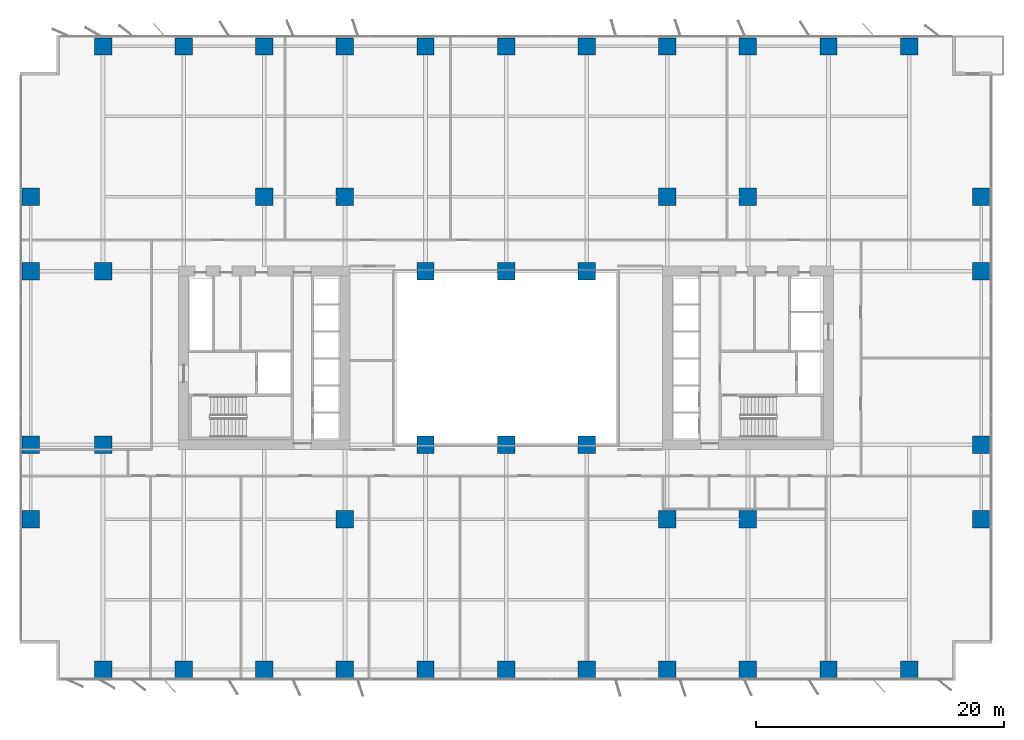
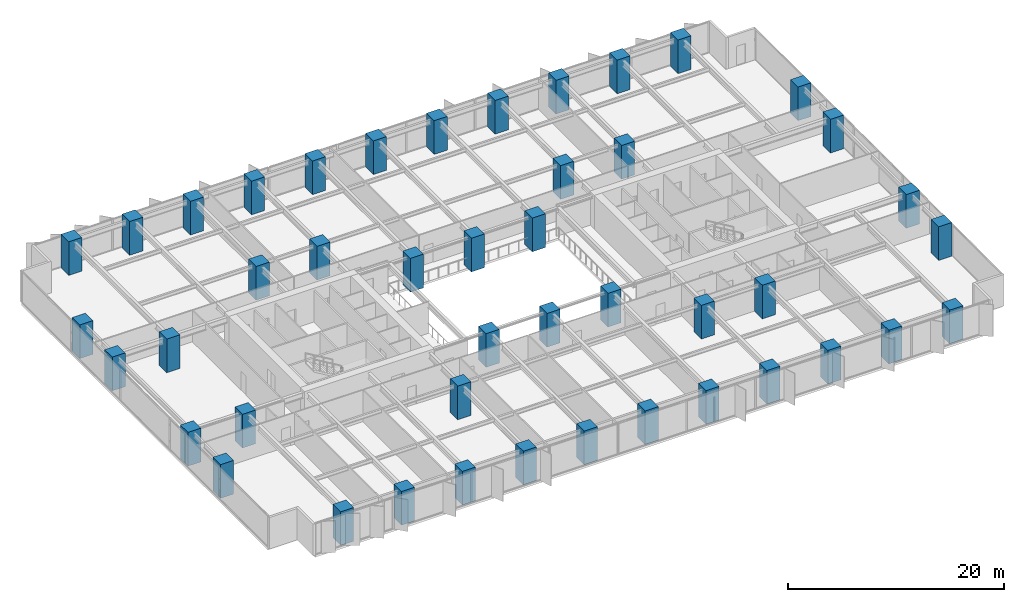
# One storey, part 1 of 20: 45 columns.
"""IFC4 building model written with IfcOpenShell, lengths in metres."""

from ifc_helpers import new_model, si_unit, direction, frame, origin, origin_2d, place, context, subcontext, project, spatial, rectangle, extrude, material, material_profile, profile_set, type_object, element, save


model = new_model("IFC4")

# Units and contexts
model_context = context("Model", 3, precision=1e-05, world=origin(), true_north=direction((0.0, 1.0)))
body_context = subcontext(model_context, "Body", "Model", "MODEL_VIEW")
ifc_project = project(units=[si_unit("LENGTHUNIT", "METRE"), si_unit("AREAUNIT", "SQUARE_METRE"), si_unit("VOLUMEUNIT", "CUBIC_METRE"), si_unit("PLANEANGLEUNIT", "RADIAN"), si_unit("MASSUNIT", "GRAM", prefix="KILO")], contexts=[model_context])

# Site, building, storey
site_placement = place(None, origin())
site = spatial("IfcSite", under=ifc_project, at=site_placement, CompositionType="ELEMENT")
building_placement = place(site_placement, origin())
building = spatial("IfcBuilding", under=site, at=building_placement, Name="Putna Gate Headquarters", CompositionType="ELEMENT")
storey_placement = place(building_placement, frame((0.0, 0.0, 62.0)))
storey = spatial("IfcBuildingStorey", under=building, at=storey_placement, Name="L14", CompositionType="ELEMENT", Elevation=62.0)

# Columns
ifc_material = material(Name="Concrete C60/75", Category="concrete")
ifc_material_profile_1 = material_profile(ifc_material, rectangle(XDim=1.39990234375, YDim=1.39990234375, at=origin_2d()), Name="Concrete C60/75")
ifc_profile_set_1 = profile_set([ifc_material_profile_1], Name="Concrete C60/75")
column_type_1 = type_object("IfcColumnType", Name="COL-RC1400-EXT", PredefinedType="COLUMN", material=ifc_profile_set_1)
for number, where, z_axis, x_axis, name in (
    (1, (6.5, 0.8798828125, 0.0), (0.0, 0.0, 1.0), (1.0, 0.0, 0.0), "L14 Column CP-S6"),
    (2, (6.5, 51.1201171875, 0.0), (0.0, 0.0, 1.0), (1.0, 0.0, 0.0), "L14 Column CP-N6"),
    (3, (13.0, 0.8798828125, 0.0), (0.0, 0.0, 1.0), (1.0, 0.0, 0.0), "L14 Column CP-S13"),
    (4, (13.0, 51.1201171875, 0.0), (0.0, 0.0, 1.0), (1.0, 0.0, 0.0), "L14 Column CP-N13"),
    (5, (19.5, 0.8798828125, 0.0), (0.0, 0.0, 1.0), (1.0, 0.0, 0.0), "L14 Column CP-S19"),
    (6, (19.5, 51.1201171875, 0.0), (0.0, 0.0, 1.0), (1.0, 0.0, 0.0), "L14 Column CP-N19"),
    (7, (26.0, 0.8798828125, 0.0), (0.0, 0.0, 1.0), (1.0, 0.0, 0.0), "L14 Column CP-S26"),
    (8, (26.0, 51.1201171875, 0.0), (0.0, 0.0, 1.0), (1.0, 0.0, 0.0), "L14 Column CP-N26"),
    (9, (32.5, 0.8798828125, 0.0), (0.0, 0.0, 1.0), (1.0, 0.0, 0.0), "L14 Column CP-S32"),
    (10, (32.5, 51.1201171875, 0.0), (0.0, 0.0, 1.0), (1.0, 0.0, 0.0), "L14 Column CP-N32"),
    (11, (39.0, 0.8798828125, 0.0), (0.0, 0.0, 1.0), (1.0, 0.0, 0.0), "L14 Column CP-S39"),
    (12, (39.0, 51.1201171875, 0.0), (0.0, 0.0, 1.0), (1.0, 0.0, 0.0), "L14 Column CP-N39"),
    (13, (45.5, 0.8798828125, 0.0), (0.0, 0.0, 1.0), (1.0, 0.0, 0.0), "L14 Column CP-S45"),
    (14, (45.5, 51.1201171875, 0.0), (0.0, 0.0, 1.0), (1.0, 0.0, 0.0), "L14 Column CP-N45"),
    (15, (52.0, 0.8798828125, 0.0), (0.0, 0.0, 1.0), (1.0, 0.0, 0.0), "L14 Column CP-S52"),
    (16, (52.0, 51.1201171875, 0.0), (0.0, 0.0, 1.0), (1.0, 0.0, 0.0), "L14 Column CP-N52"),
    (17, (58.5, 0.8798828125, 0.0), (0.0, 0.0, 1.0), (1.0, 0.0, 0.0), "L14 Column CP-S58"),
    (18, (58.5, 51.1201171875, 0.0), (0.0, 0.0, 1.0), (1.0, 0.0, 0.0), "L14 Column CP-N58"),
    (19, (65.0, 0.8798828125, 0.0), (0.0, 0.0, 1.0), (1.0, 0.0, 0.0), "L14 Column CP-S65"),
    (20, (65.0, 51.1201171875, 0.0), (0.0, 0.0, 1.0), (1.0, 0.0, 0.0), "L14 Column CP-N65"),
    (21, (71.5, 0.8798828125, 0.0), (0.0, 0.0, 1.0), (1.0, 0.0, 0.0), "L14 Column CP-S71"),
    (22, (71.5, 51.1201171875, 0.0), (0.0, 0.0, 1.0), (1.0, 0.0, 0.0), "L14 Column CP-N71"),
    (23, (0.679931640625, 13.0, 0.0), (0.0, 0.0, 1.0), (1.0, 0.0, 0.0), "L14 Column CP-W13"),
    (24, (77.320068359375, 13.0, 0.0), (0.0, 0.0, 1.0), (1.0, 0.0, 0.0), "L14 Column CP-E13"),
    (25, (0.679931640625, 19.0, 0.0), (0.0, 0.0, 1.0), (1.0, 0.0, 0.0), "L14 Column CP-W19"),
    (26, (77.320068359375, 19.0, 0.0), (0.0, 0.0, 1.0), (1.0, 0.0, 0.0), "L14 Column CP-E19"),
    (27, (0.679931640625, 33.0, 0.0), (0.0, 0.0, 1.0), (1.0, 0.0, 0.0), "L14 Column CP-W33"),
    (28, (77.320068359375, 33.0, 0.0), (0.0, 0.0, 1.0), (1.0, 0.0, 0.0), "L14 Column CP-E33"),
    (29, (0.679931640625, 39.0, 0.0), (0.0, 0.0, 1.0), (1.0, 0.0, 0.0), "L14 Column CP-W39"),
    (30, (77.320068359375, 39.0, 0.0), (0.0, 0.0, 1.0), (1.0, 0.0, 0.0), "L14 Column CP-E39"),
):
    element("IfcColumn", number, at=place(storey_placement, frame(where, z_axis=z_axis, x_axis=x_axis)), inside=storey, type_object=column_type_1, Name=name, PredefinedType="COLUMN", context=body_context, shape_type="SweptSolid", body=[
        extrude(rectangle(XDim=1.39990234375, YDim=1.39990234375, at=origin_2d()), origin(), (0.0, 0.0, 1.0), 3.800048828125),
    ])
ifc_material_profile_2 = material_profile(ifc_material, rectangle(XDim=1.39990234375, YDim=1.39990234375, at=origin_2d()), Name="Concrete C60/75")
ifc_profile_set_2 = profile_set([ifc_material_profile_2], Name="Concrete C60/75")
column_type_2 = type_object("IfcColumnType", Name="COL-RC1400-INT", PredefinedType="COLUMN", material=ifc_profile_set_2)
for number, where, z_axis, x_axis, name in (
    (31, (19.5, 39.0, 0.0), (0.0, 0.0, 1.0), (1.0, 0.0, 0.0), "L14 Column CSI-WN"),
    (32, (58.5, 13.0, 0.0), (0.0, 0.0, 1.0), (1.0, 0.0, 0.0), "L14 Column CSI-ES"),
    (33, (58.5, 39.0, 0.0), (0.0, 0.0, 1.0), (1.0, 0.0, 0.0), "L14 Column CSI-EN"),
    (34, (6.5, 19.0, 0.0), (0.0, 0.0, 1.0), (1.0, 0.0, 0.0), "L14 Column CSI-WM"),
    (35, (6.5, 33.0, 0.0), (0.0, 0.0, 1.0), (1.0, 0.0, 0.0), "L14 Column CSI-WNW"),
    (36, (32.5, 19.0, 0.0), (0.0, 0.0, 1.0), (1.0, 0.0, 0.0), "L14 Column CAI-S32"),
    (37, (32.5, 33.0, 0.0), (0.0, 0.0, 1.0), (1.0, 0.0, 0.0), "L14 Column CAI-N32"),
    (38, (39.0, 19.0, 0.0), (0.0, 0.0, 1.0), (1.0, 0.0, 0.0), "L14 Column CAI-S39"),
    (39, (39.0, 33.0, 0.0), (0.0, 0.0, 1.0), (1.0, 0.0, 0.0), "L14 Column CAI-N39"),
    (40, (45.5, 19.0, 0.0), (0.0, 0.0, 1.0), (1.0, 0.0, 0.0), "L14 Column CAI-S45"),
    (41, (45.5, 33.0, 0.0), (0.0, 0.0, 1.0), (1.0, 0.0, 0.0), "L14 Column CAI-N45"),
    (42, (26.0, 13.0, 0.0), (0.0, 0.0, 1.0), (1.0, 0.0, 0.0), "L14 Column CAP-WS"),
    (43, (26.0, 39.0, 0.0), (0.0, 0.0, 1.0), (1.0, 0.0, 0.0), "L14 Column CAP-WN"),
    (44, (52.0, 13.0, 0.0), (0.0, 0.0, 1.0), (1.0, 0.0, 0.0), "L14 Column CAP-ES"),
    (45, (52.0, 39.0, 0.0), (0.0, 0.0, 1.0), (1.0, 0.0, 0.0), "L14 Column CAP-EN"),
):
    element("IfcColumn", number, at=place(storey_placement, frame(where, z_axis=z_axis, x_axis=x_axis)), inside=storey, type_object=column_type_2, Name=name, PredefinedType="COLUMN", context=body_context, shape_type="SweptSolid", body=[
        extrude(rectangle(XDim=1.39990234375, YDim=1.39990234375, at=origin_2d()), origin(), (0.0, 0.0, 1.0), 3.800048828125),
    ])

save(model, "model.ifc")
